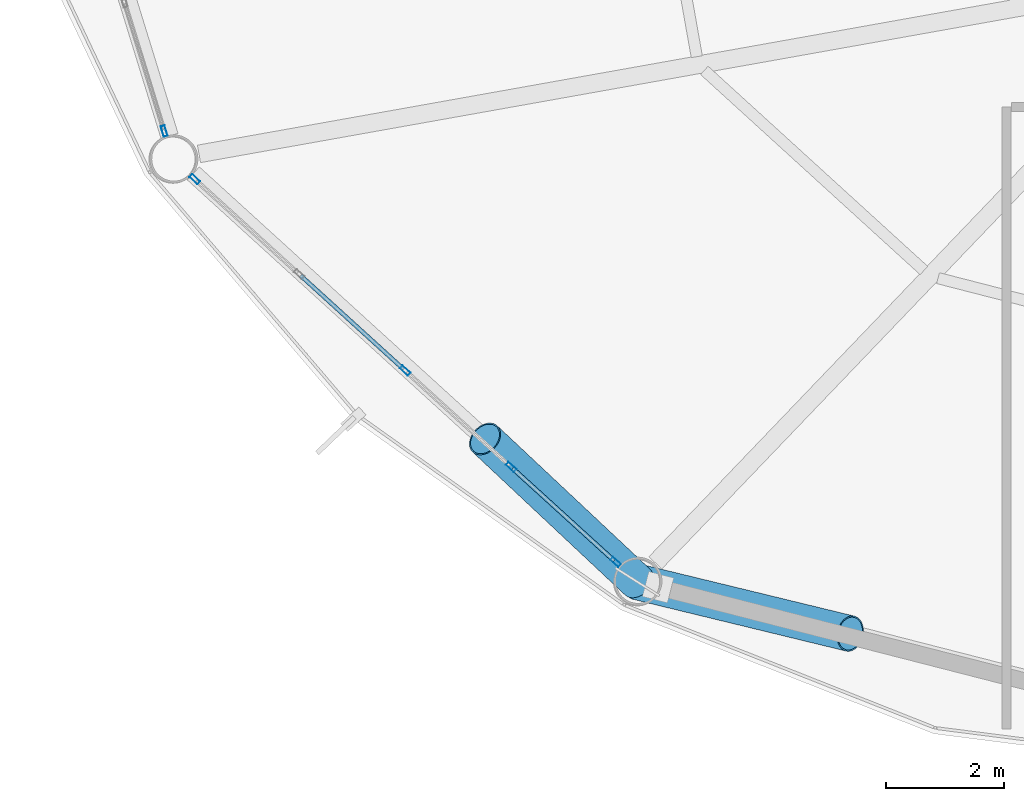
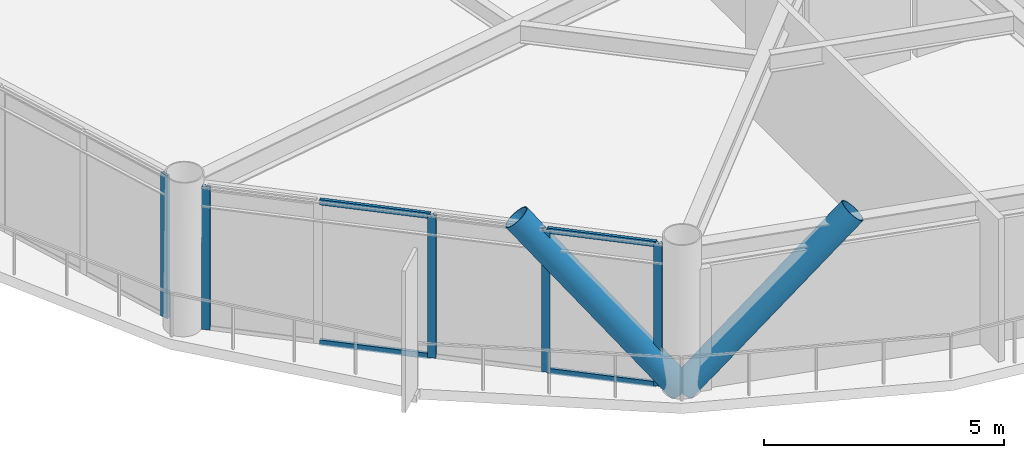
# One storey, part 2 of 25: 11 members, 2 elements without a shape of their own.
"""IFC4 building model written with IfcOpenShell, lengths in metres."""

from ifc_helpers import new_model, si_unit, direction, frame, origin, origin_2d, place, context, subcontext, project, spatial, hollow_rectangle, hollow_circle, extrude, material, layer, layer_set, material_profile, profile_set, type_object, element, aggregate, save


model = new_model("IFC4")

# Units and contexts
model_context = context("Model", 3, precision=1e-05, world=origin(), true_north=direction((0.0, 1.0)))
body_context = subcontext(model_context, "Body", "Model", "MODEL_VIEW")
ifc_project = project(units=[si_unit("LENGTHUNIT", "METRE"), si_unit("AREAUNIT", "SQUARE_METRE"), si_unit("VOLUMEUNIT", "CUBIC_METRE"), si_unit("PLANEANGLEUNIT", "RADIAN"), si_unit("MASSUNIT", "GRAM", prefix="KILO")], contexts=[model_context])

# Site, building, storey
site_placement = place(None, origin())
site = spatial("IfcSite", under=ifc_project, at=site_placement, CompositionType="ELEMENT")
building_placement = place(site_placement, origin())
building = spatial("IfcBuilding", under=site, at=building_placement, Name="Varnakorn Sky Granary", CompositionType="ELEMENT")
storey_placement = place(building_placement, frame((0.0, 0.0, 99.300048828125)))
storey = spatial("IfcBuildingStorey", under=building, at=storey_placement, Name="L24", CompositionType="ELEMENT", Elevation=99.300048828125)

# Curtain wall, member
ifc_material_1 = material(Name="Anodised Bronze Aluminium Alloy 6063-T6", Category="aluminium")
ifc_layer = layer(ifc_material_1, 0.18994140625, Name="Anodised Bronze Aluminium Alloy 6063-T6")
ifc_layer_set = layer_set([ifc_layer], Name="Anodised Bronze Aluminium Alloy 6063-T6")
curtain_wall_type = type_object("IfcCurtainWallType", Name="CW-FRM-1", PredefinedType="USERDEFINED", material=ifc_layer_set)
curtain_wall_1_placement = place(storey_placement, origin())
curtain_wall_1 = element("IfcCurtainWall", 1, at=curtain_wall_1_placement, inside=storey, type_object=curtain_wall_type, Name="Unitised Curtain Wall CW3 CW-L24-B07", ObjectType="CURTAIN WALL", PredefinedType="USERDEFINED")
ifc_material_profile_1 = material_profile(ifc_material_1, hollow_rectangle(XDim=0.070068359375, YDim=0.18505859375, WallThickness=0.00390625, at=origin_2d()), Name="ALU MULL 70x185")
ifc_profile_set_1 = profile_set([ifc_material_profile_1], Name="Anodised Bronze Aluminium Alloy 6063-T6")
member_type_1 = type_object("IfcMemberType", Name="CW-FRM-1-MULL", PredefinedType="MULLION", material=ifc_profile_set_1)
member_1_placement = place(storey_placement, frame((-20.2802734375, -9.306640625, 0.0), z_axis=(0.0, 0.0, 1.0), x_axis=(-0.955604848445, -0.294651274609, 0.0)))
member_1 = element("IfcMember", 2, at=member_1_placement, type_object=member_type_1, Name="CW3 mullion 1", PredefinedType="MULLION", context=body_context, shape_type="SweptSolid", body=[
    extrude(hollow_rectangle(XDim=0.070068359375, YDim=0.18505859375, WallThickness=0.00390625, at=origin_2d()), origin(), (0.0, 0.0, 1.0), 3.639892578125),
])
aggregate(curtain_wall_1, [member_1])

# Curtain wall, members
curtain_wall_2_placement = place(storey_placement, origin())
curtain_wall_2 = element("IfcCurtainWall", 3, at=curtain_wall_2_placement, inside=storey, type_object=curtain_wall_type, Name="Unitised Curtain Wall CW3 CW-L24-B08", ObjectType="CURTAIN WALL", PredefinedType="USERDEFINED")
member_2_placement = place(storey_placement, frame((-12.62841796875, -16.6123046875, 0.0), z_axis=(0.0, 0.0, 1.0), x_axis=(-0.672918732545, -0.739716418224, 0.0)))
member_2 = element("IfcMember", 4, at=member_2_placement, type_object=member_type_1, Name="CW3 mullion 1", PredefinedType="MULLION", context=body_context, shape_type="SweptSolid", body=[
    extrude(hollow_rectangle(XDim=0.070068359375, YDim=0.18505859375, WallThickness=0.00390625, at=origin_2d()), origin(), (0.0, 0.0, 1.0), 3.639892578125),
])
member_3_placement = place(storey_placement, frame((-14.398681640625, -15.001953125, 0.0), z_axis=(0.0, 0.0, 1.0), x_axis=(-0.672918732545, -0.739716418224, 0.0)))
member_3 = element("IfcMember", 5, at=member_3_placement, type_object=member_type_1, Name="CW3 mullion 2", PredefinedType="MULLION", context=body_context, shape_type="SweptSolid", body=[
    extrude(hollow_rectangle(XDim=0.070068359375, YDim=0.18505859375, WallThickness=0.00390625, at=origin_2d()), origin(), (0.0, 0.0, 1.0), 3.639892578125),
])
member_4_placement = place(storey_placement, frame((-16.195068359375, -13.367919921875, 0.0), z_axis=(0.0, 0.0, 1.0), x_axis=(-0.672918732545, -0.739716418224, 0.0)))
member_4 = element("IfcMember", 6, at=member_4_placement, type_object=member_type_1, Name="CW3 mullion 3", PredefinedType="MULLION", context=body_context, shape_type="SweptSolid", body=[
    extrude(hollow_rectangle(XDim=0.070068359375, YDim=0.18505859375, WallThickness=0.00390625, at=origin_2d()), origin(), (0.0, 0.0, 1.0), 3.639892578125),
])
member_5_placement = place(storey_placement, frame((-19.761474609375, -10.12353515625, 0.0), z_axis=(0.0, 0.0, 1.0), x_axis=(-0.672918732545, -0.739716418224, 0.0)))
member_5 = element("IfcMember", 7, at=member_5_placement, type_object=member_type_1, Name="CW3 mullion 5", PredefinedType="MULLION", context=body_context, shape_type="SweptSolid", body=[
    extrude(hollow_rectangle(XDim=0.070068359375, YDim=0.18505859375, WallThickness=0.00390625, at=origin_2d()), origin(), (0.0, 0.0, 1.0), 3.639892578125),
])
ifc_material_profile_2 = material_profile(ifc_material_1, hollow_rectangle(XDim=0.070068359375, YDim=0.139892578125, WallThickness=0.00341796875, at=origin_2d()), Name="ALU TRAN 70x140")
ifc_profile_set_2 = profile_set([ifc_material_profile_2], Name="Anodised Bronze Aluminium Alloy 6063-T6")
member_type_2 = type_object("IfcMemberType", Name="CW-FRM-1-TRAN", PredefinedType="USERDEFINED", material=ifc_profile_set_2)
member_6_placement = place(storey_placement, frame((-12.654296875, -16.5888671875, 0.034912109375), z_axis=(-0.739683254205, 0.672955186806, 0.0), x_axis=(-0.672955186806, -0.739683254205, 0.0)))
member_6 = element("IfcMember", 8, at=member_6_placement, type_object=member_type_2, Name="CW3 transom 1.1", ObjectType="TRANSOM", PredefinedType="USERDEFINED", context=body_context, shape_type="SweptSolid", body=[
    extrude(hollow_rectangle(XDim=0.070068359375, YDim=0.139892578125, WallThickness=0.00341796875, at=origin_2d()), origin(), (0.0, 0.0, 1.0), 2.3232421875),
])
member_7_placement = place(storey_placement, frame((-12.654296875, -16.5888671875, 3.60498046875), z_axis=(-0.739683254205, 0.672955186806, 0.0), x_axis=(-0.672955186806, -0.739683254205, 0.0)))
member_7 = element("IfcMember", 9, at=member_7_placement, type_object=member_type_2, Name="CW3 transom 1.2", ObjectType="TRANSOM", PredefinedType="USERDEFINED", context=body_context, shape_type="SweptSolid", body=[
    extrude(hollow_rectangle(XDim=0.070068359375, YDim=0.139892578125, WallThickness=0.00341796875, at=origin_2d()), origin(), (0.0, 0.0, 1.0), 2.3232421875),
])
member_8_placement = place(storey_placement, frame((-16.220947265625, -13.34423828125, 0.034912109375), z_axis=(-0.739757337336, 0.672873748824, 0.0), x_axis=(-0.672873748824, -0.739757337336, 0.0)))
member_8 = element("IfcMember", 10, at=member_8_placement, type_object=member_type_2, Name="CW3 transom 3.1", ObjectType="TRANSOM", PredefinedType="USERDEFINED", context=body_context, shape_type="SweptSolid", body=[
    extrude(hollow_rectangle(XDim=0.070068359375, YDim=0.139892578125, WallThickness=0.00341796875, at=origin_2d()), origin(), (0.0, 0.0, 1.0), 2.358154296875),
])
member_9_placement = place(storey_placement, frame((-16.220947265625, -13.34423828125, 3.60498046875), z_axis=(-0.739757337336, 0.672873748824, 0.0), x_axis=(-0.672873748824, -0.739757337336, 0.0)))
member_9 = element("IfcMember", 11, at=member_9_placement, type_object=member_type_2, Name="CW3 transom 3.2", ObjectType="TRANSOM", PredefinedType="USERDEFINED", context=body_context, shape_type="SweptSolid", body=[
    extrude(hollow_rectangle(XDim=0.070068359375, YDim=0.139892578125, WallThickness=0.00341796875, at=origin_2d()), origin(), (0.0, 0.0, 1.0), 2.358154296875),
])
aggregate(curtain_wall_2, [member_2, member_3, member_4, member_5, member_6, member_7, member_8, member_9])

# Members
ifc_material_2 = material(Name="Steel S460M", Category="steel")
ifc_material_profile_3 = material_profile(ifc_material_2, hollow_circle(Radius=0.304931640625, WallThickness=0.022216796875, at=origin_2d()), Name="CHS 610x22")
ifc_profile_set_3 = profile_set([ifc_material_profile_3], Name="Steel S460M")
member_type_3 = type_object("IfcMemberType", Name="MB-DIAG-T1", PredefinedType="BRACE", material=ifc_profile_set_3)
member_10_placement = place(storey_placement, frame((-12.257568359375, -16.94970703125, 0.0), z_axis=(-0.497998115844, 0.467076202782, 0.730641976218), x_axis=(-0.684099330985, -0.729388857432, 0.0)))
element("IfcMember", 12, at=member_10_placement, inside=storey, type_object=member_type_3, Name="Perimeter CHS Diagrid Brace DG08 L24", PredefinedType="BRACE", context=body_context, shape_type="SweptSolid", body=[
    extrude(hollow_circle(Radius=0.304931640625, WallThickness=0.022216796875, at=origin_2d()), origin(), (0.0, 0.0, 1.0), 5.187255859375),
])
member_11_placement = place(storey_placement, frame((-12.257568359375, -16.94970703125, 0.0), z_axis=(0.680041440888, -0.165190389931, 0.714321897851), x_axis=(0.236047886364, 0.971741424116, 0.0)))
element("IfcMember", 13, at=member_11_placement, inside=storey, type_object=member_type_3, Name="Perimeter CHS Diagrid Brace DG09 L24", PredefinedType="BRACE", context=body_context, shape_type="SweptSolid", body=[
    extrude(hollow_circle(Radius=0.304931640625, WallThickness=0.022216796875, at=origin_2d()), origin(), (0.0, 0.0, 1.0), 5.3056640625),
])

save(model, "model.ifc")
